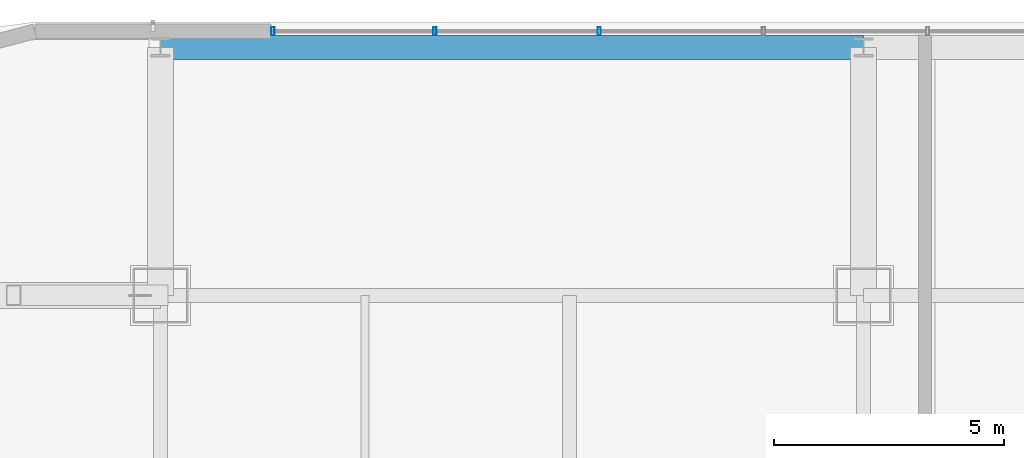
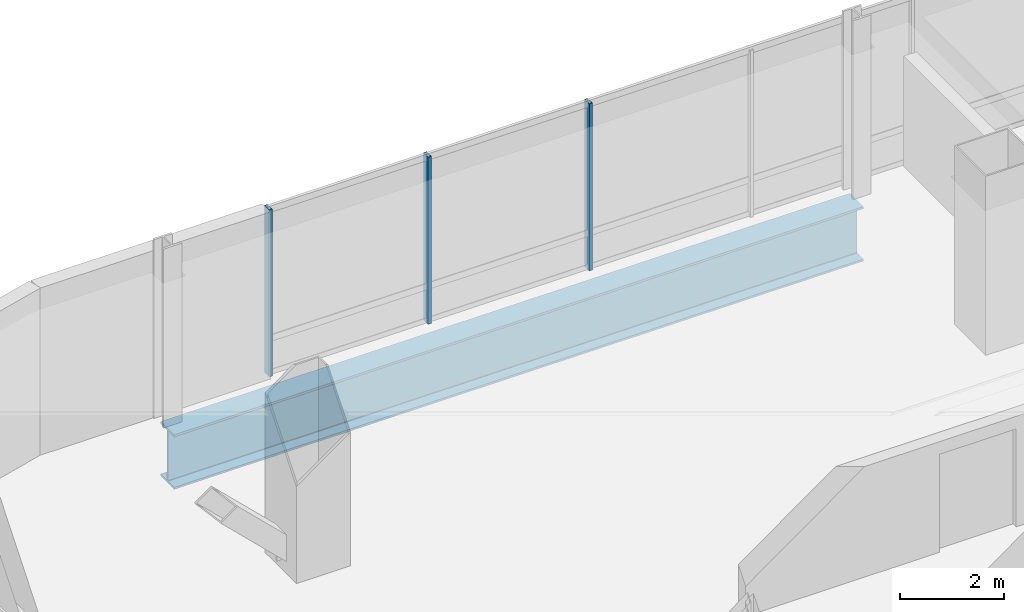
# One storey, part 22 of 51: 3 members, 1 beam, 1 element without a shape of its own.
"""IFC4 building model written with IfcOpenShell, lengths in metres."""

import ifcopenshell
import ifcopenshell.guid

model = None  # the IFC model being written
_history = None  # IfcOwnerHistory: only IFC2X3 demands one
_inside = {}  # id of a spatial element -> (the spatial element, [elements in it])
_under = {}  # id of a project, library or spatial element -> (it, [spatial elements below it])
_declared = {}  # id of a project -> (the project, [libraries it declares])
_typed = {}  # id of a type object -> (the type object, [elements of that type])
_made_of = {}  # id of a material, layer set ... -> (it, [elements and type objects made of it])


def new_model(schema):
    """Start an empty IFC model of exactly this schema.

    Asked for "IFC4X3", IfcOpenShell would pick the latest addendum, in which some entities
    have other attributes; the version numbers below select the first issue.
    IFC2X3 requires an IfcOwnerHistory on every rooted entity: one is made here for all.
    """
    global model, _history
    if schema == "IFC4X3":
        model = ifcopenshell.file(schema_version=(4, 3, 0, 0))
    else:
        model = ifcopenshell.file(schema=schema)
    _inside.clear()
    _under.clear()
    _declared.clear()
    _typed.clear()
    _made_of.clear()
    _history = None
    if model.schema == "IFC2X3":
        org = make("IfcOrganization", Name="unknown")
        user = make(
            "IfcPersonAndOrganization",
            ThePerson=make("IfcPerson", FamilyName="unknown"),
            TheOrganization=org,
        )
        app = make(
            "IfcApplication",
            ApplicationDeveloper=org,
            Version="unknown",
            ApplicationFullName="unknown",
            ApplicationIdentifier="unknown",
        )
        _history = make(
            "IfcOwnerHistory",
            OwningUser=user,
            OwningApplication=app,
            ChangeAction="ADDED",
            CreationDate=0,
        )
    return model


def make(cls, **values):
    """One entity of the class cls with the attributes given. An attribute that is None is left unset."""
    return model.create_entity(
        cls, **{name: value for name, value in values.items() if value is not None}
    )


def rooted(cls, **values):
    """An entity with a GlobalId (a new one), such as an element, a storey or a relation."""
    return make(cls, GlobalId=ifcopenshell.guid.new(), OwnerHistory=_history, **values)


def si_unit(unit_type, name, prefix=None):
    """IfcSIUnit, for example si_unit("LENGTHUNIT", "METRE", prefix="MILLI")."""
    return make("IfcSIUnit", UnitType=unit_type, Prefix=prefix, Name=name)


def assignment(units):
    """IfcUnitAssignment: the units of a project."""
    return None if units is None else make("IfcUnitAssignment", Units=units)


def point(xyz):
    """IfcCartesianPoint."""
    return None if xyz is None else make("IfcCartesianPoint", Coordinates=xyz)


def direction(xyz):
    """IfcDirection."""
    return None if xyz is None else make("IfcDirection", DirectionRatios=xyz)


def frame(location, z_axis=None, x_axis=None):
    """IfcAxis2Placement3D, a coordinate frame: its origin and axes. An axis left out is left unset."""
    return make(
        "IfcAxis2Placement3D",
        Location=point(location),
        Axis=direction(z_axis),
        RefDirection=direction(x_axis),
    )


def frame_2d(location, x_axis=None):
    """IfcAxis2Placement2D, a coordinate frame in the plane: its origin and x axis."""
    return make(
        "IfcAxis2Placement2D", Location=point(location), RefDirection=direction(x_axis)
    )


def origin():
    """The frame at (0, 0, 0) with its axes left unset."""
    return frame((0.0, 0.0, 0.0))


def origin_2d():
    """The frame at (0, 0) in the plane with its x axis left unset."""
    return frame_2d((0.0, 0.0))


def place(relative_to, where):
    """IfcLocalPlacement: puts the frame where relative to a parent placement (None: the world)."""
    return make(
        "IfcLocalPlacement", PlacementRelTo=relative_to, RelativePlacement=where
    )


def context(
    kind, dimensions, precision=None, world=None, true_north=None, identifier=None
):
    """IfcGeometricRepresentationContext, for example the 3D "Model" context."""
    return make(
        "IfcGeometricRepresentationContext",
        ContextIdentifier=identifier,
        ContextType=kind,
        CoordinateSpaceDimension=dimensions,
        Precision=precision,
        WorldCoordinateSystem=world,
        TrueNorth=true_north,
    )


def subcontext(parent, identifier, kind, view, scale=None):
    """IfcGeometricRepresentationSubContext, for example "Body" below "Model"."""
    return make(
        "IfcGeometricRepresentationSubContext",
        ContextIdentifier=identifier,
        ContextType=kind,
        ParentContext=parent,
        TargetScale=scale,
        TargetView=view,
    )


def project(units=None, contexts=None):
    """IfcProject with its units and contexts."""
    return rooted(
        "IfcProject",
        Name="project",
        RepresentationContexts=contexts,
        UnitsInContext=assignment(units),
    )


def spatial(cls, under=None, at=None, **own):
    """A site, building, storey or space (cls), placed at a placement, below another one or the project."""
    s = rooted(cls, ObjectPlacement=at, **own)
    if under is not None:
        _under.setdefault(under.id(), (under, []))[1].append(s)
    return s


def profile(cls, at=None, kind="AREA", **sizes):
    """A parametric profile (cls). Its sizes go by their IFC names, for example OverallWidth=200.0."""
    return make(cls, ProfileType=kind, Position=at, **sizes)


def hollow_rectangle(**sizes):
    """IfcRectangleHollowProfileDef."""
    return profile("IfcRectangleHollowProfileDef", **sizes)


def i_section(**sizes):
    """IfcIShapeProfileDef."""
    return profile("IfcIShapeProfileDef", **sizes)


def extrude(swept, where, along, depth):
    """IfcExtrudedAreaSolid: the profile swept, set in the frame where, extruded along a direction by depth."""
    return make(
        "IfcExtrudedAreaSolid",
        SweptArea=swept,
        Position=where,
        ExtrudedDirection=direction(along),
        Depth=depth,
    )


def shape(context_of_items, identifier, shape_type, items):
    """IfcShapeRepresentation: the items that make up one representation, for example the "Body"."""
    return make(
        "IfcShapeRepresentation",
        ContextOfItems=context_of_items,
        RepresentationIdentifier=identifier,
        RepresentationType=shape_type,
        Items=items,
    )


def material(Name=None, Category=None):
    """IfcMaterial."""
    return make("IfcMaterial", Name=Name, Category=Category)


def material_profile(
    of_material, cross_section, Name=None, Category=None, Priority=None
):
    """IfcMaterialProfile: a cross section and its material."""
    return make(
        "IfcMaterialProfile",
        Name=Name,
        Material=of_material,
        Profile=cross_section,
        Priority=Priority,
        Category=Category,
    )


def profile_set(profiles, Name=None, composite=None):
    """IfcMaterialProfileSet."""
    return make(
        "IfcMaterialProfileSet",
        Name=Name,
        MaterialProfiles=profiles,
        CompositeProfile=composite,
    )


def made_of(thing, what):
    """Note that an element or type object is made of a material, layer set ...; save() writes the relation."""
    if what is not None:
        _made_of.setdefault(what.id(), (what, []))[1].append(thing)
    return thing


def type_object(cls, material=None, **own):
    """A type object (cls), such as IfcWallType, which elements share."""
    return made_of(rooted(cls, **own), material)


def element(
    cls,
    number,
    at=None,
    inside=None,
    cuts=None,
    type_object=None,
    material=None,
    context=None,
    identifier="Body",
    shape_type=None,
    held_by="IfcProductDefinitionShape",
    body=None,
    shapes=None,
    **own,
):
    """One element of the class cls, such as IfcWall. Its Tag is "e" and its number.

    at: its placement. inside: the storey or other place that contains it. cuts: it is an
    opening in that element (IfcRelVoidsElement). A single representation is given by context,
    identifier, shape_type and body (its items); several are given by shapes. held_by: the class
    of the entity that holds the representations. save() writes the other relations.
    """
    e = rooted(cls, Tag="e%d" % number, ObjectPlacement=at, **own)
    if body is not None:
        shapes = [shape(context, identifier, shape_type, body)]
    if shapes is not None:
        e.Representation = make(held_by, Representations=shapes)
    if inside is not None:
        _inside.setdefault(inside.id(), (inside, []))[1].append(e)
    if cuts is not None:
        rooted(
            "IfcRelVoidsElement", RelatingBuildingElement=cuts, RelatedOpeningElement=e
        )
    if type_object is not None:
        _typed.setdefault(type_object.id(), (type_object, []))[1].append(e)
    return made_of(e, material)


def aggregate(whole, parts):
    """IfcRelAggregates: a whole, such as a stair, and the parts it consists of."""
    return rooted("IfcRelAggregates", RelatingObject=whole, RelatedObjects=parts)


def save(model, path):
    """Write the relations noted so far, then the file.

    IfcRelAggregates (storeys below a building ...), IfcRelContainedInSpatialStructure (elements
    in a storey), IfcRelDefinesByType, IfcRelAssociatesMaterial and IfcRelDeclares: one each for
    every whole, place, type object, material and project.
    """
    for whole, parts in _under.values():
        aggregate(whole, parts)
    for where, things in _inside.values():
        rooted(
            "IfcRelContainedInSpatialStructure",
            RelatedElements=things,
            RelatingStructure=where,
        )
    for kind, things in _typed.values():
        rooted("IfcRelDefinesByType", RelatedObjects=things, RelatingType=kind)
    for what, things in _made_of.values():
        rooted("IfcRelAssociatesMaterial", RelatedObjects=things, RelatingMaterial=what)
    for by, libraries in _declared.values():
        rooted("IfcRelDeclares", RelatingContext=by, RelatedDefinitions=libraries)
    model.write(path)


model = new_model("IFC4")

# Units and contexts
model_context = context("Model", 3, precision=1e-05, world=origin(), true_north=direction((0.0, 1.0)))
body_context = subcontext(model_context, "Body", "Model", "MODEL_VIEW")
ifc_project = project(units=[si_unit("LENGTHUNIT", "METRE"), si_unit("AREAUNIT", "SQUARE_METRE"), si_unit("VOLUMEUNIT", "CUBIC_METRE"), si_unit("PLANEANGLEUNIT", "RADIAN"), si_unit("MASSUNIT", "GRAM", prefix="KILO")], contexts=[model_context])

# Site, building, storey
site_placement = place(None, origin())
site = spatial("IfcSite", under=ifc_project, at=site_placement, CompositionType="ELEMENT")
building_placement = place(site_placement, origin())
building = spatial("IfcBuilding", under=site, at=building_placement, Name="Punatoya Terracotta Tower", CompositionType="ELEMENT")
storey_placement = place(building_placement, frame((0.0, 0.0, 313.199951171875)))
storey = spatial("IfcBuildingStorey", under=building, at=storey_placement, Name="L74", CompositionType="ELEMENT", Elevation=313.199951171875)

# Beam
ifc_material_1 = material(Name="Steel S460", Category="steel")
ifc_material_profile_1 = material_profile(ifc_material_1, i_section(OverallWidth=0.52001953125, OverallDepth=1.280029296875, WebThickness=0.031982421875, FlangeThickness=0.050048828125, FilletRadius=0.01806640625, at=origin_2d()))
ifc_profile_set_1 = profile_set([ifc_material_profile_1], Name="Steel S460")
beam_type = type_object("IfcBeamType", Name="BM-TG-NCK", PredefinedType="BEAM", material=ifc_profile_set_1)
beam_placement = place(storey_placement, frame((-19.10009765625, 22.89990234375, -0.83984375), z_axis=(1.0, 0.0, 0.0), x_axis=(0.0, 1.0, 0.0)))
element("IfcBeam", 1, at=beam_placement, inside=storey, type_object=beam_type, Name="BM-L74-PER-N1", PredefinedType="BEAM", context=body_context, shape_type="SweptSolid", body=[
    extrude(i_section(OverallWidth=0.52001953125, OverallDepth=1.280029296875, WebThickness=0.031982421875, FlangeThickness=0.050048828125, FilletRadius=0.01806640625, at=origin_2d()), origin(), (0.0, 0.0, 1.0), 15.300048828125),
])

# Curtain wall, members
ifc_material_2 = material(Name="Aluminium 6063-T6 + Double Low-E Glass", Category="aluminium")
curtain_wall_type = type_object("IfcCurtainWallType", Name="CW-M3", PredefinedType="NOTDEFINED", material=ifc_material_2)
curtain_wall_placement = place(storey_placement, origin())
curtain_wall = element("IfcCurtainWall", 2, at=curtain_wall_placement, inside=storey, type_object=curtain_wall_type, Name="L74 Curtain Wall CW-L74-N09-1", PredefinedType="NOTDEFINED")
ifc_material_3 = material(Name="Aluminium 6063-T6", Category="aluminium")
ifc_material_profile_2 = material_profile(ifc_material_3, hollow_rectangle(XDim=0.070068359375, YDim=0.179931640625, WallThickness=0.00390625, at=origin_2d()))
ifc_profile_set_2 = profile_set([ifc_material_profile_2], Name="Aluminium 6063-T6")
member_type = type_object("IfcMemberType", Name="CW-MUL-M3", PredefinedType="MULLION", material=ifc_profile_set_2)
member_1_placement = place(storey_placement, frame((-9.550048828125, 23.25, 0.0), z_axis=(0.0, 0.0, 1.0), x_axis=(1.0, 0.0, 0.0)))
member_1 = element("IfcMember", 3, at=member_1_placement, type_object=member_type, Name="CW-L74-N09-1 Mullion 06", PredefinedType="MULLION", context=body_context, shape_type="SweptSolid", body=[
    extrude(hollow_rectangle(XDim=0.070068359375, YDim=0.179931640625, WallThickness=0.00390625, at=origin_2d()), origin(), (0.0, 0.0, 1.0), 3.920166015625),
])
member_2_placement = place(storey_placement, frame((-13.125, 23.25, 0.0), z_axis=(0.0, 0.0, 1.0), x_axis=(1.0, 0.0, 0.0)))
member_2 = element("IfcMember", 4, at=member_2_placement, type_object=member_type, Name="CW-L74-N09-1 Mullion 07", PredefinedType="MULLION", context=body_context, shape_type="SweptSolid", body=[
    extrude(hollow_rectangle(XDim=0.070068359375, YDim=0.179931640625, WallThickness=0.00390625, at=origin_2d()), origin(), (0.0, 0.0, 1.0), 3.920166015625),
])
member_3_placement = place(storey_placement, frame((-16.655029296875, 23.25, 0.0), z_axis=(0.0, 0.0, 1.0), x_axis=(1.0, 0.0, 0.0)))
member_3 = element("IfcMember", 5, at=member_3_placement, type_object=member_type, Name="CW-L74-N09-1 Mullion 08", PredefinedType="MULLION", context=body_context, shape_type="SweptSolid", body=[
    extrude(hollow_rectangle(XDim=0.070068359375, YDim=0.179931640625, WallThickness=0.00390625, at=origin_2d()), origin(), (0.0, 0.0, 1.0), 3.920166015625),
])
aggregate(curtain_wall, [member_1, member_2, member_3])

save(model, "model.ifc")
